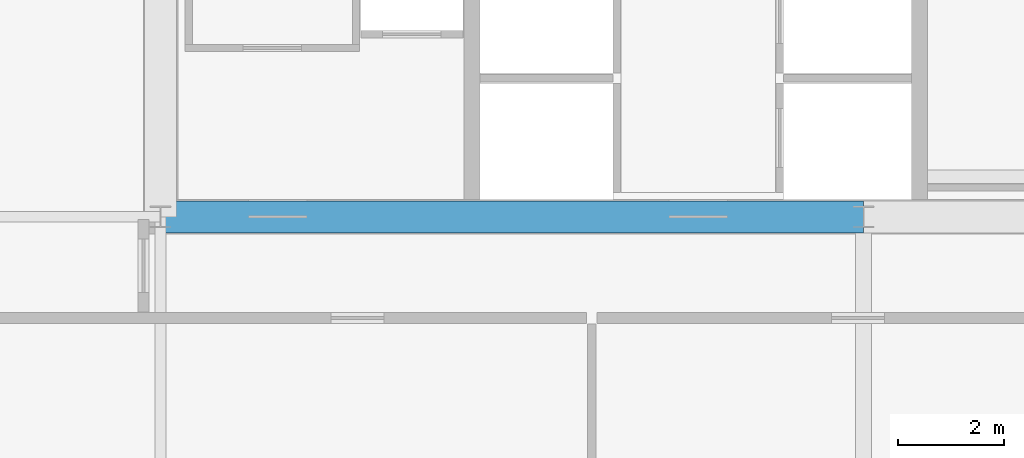
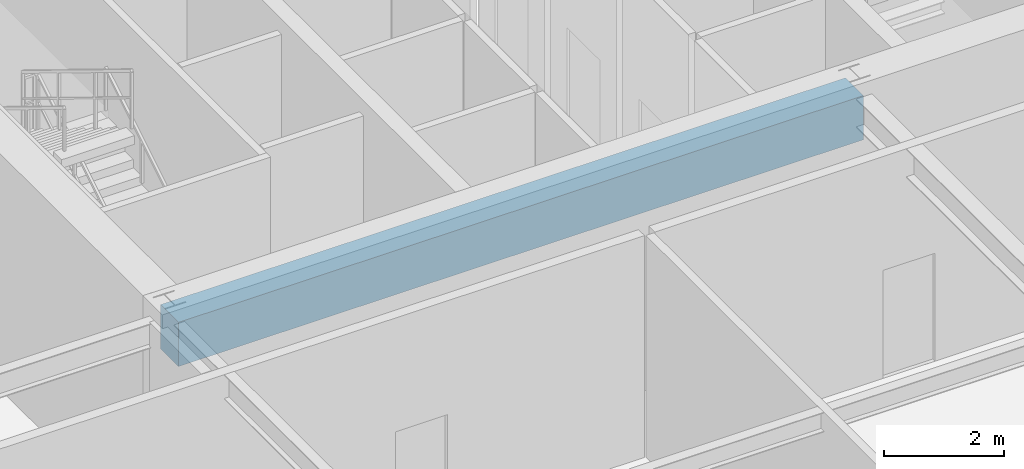
# One storey, part 13 of 34: 1 beam.
"""IFC4 building model written with IfcOpenShell, lengths in metres."""

from ifc_helpers import new_model, si_unit, direction, frame, origin, origin_2d, place, context, subcontext, project, spatial, rectangle, extrude, source, transform, mapped, material, material_profile, profile_set, type_object, element, save


model = new_model("IFC4")

# Units and contexts
model_context = context("Model", 3, precision=1e-05, world=origin(), true_north=direction((0.0, 1.0)))
body_context = subcontext(model_context, "Body", "Model", "MODEL_VIEW")
ifc_project = project(units=[si_unit("LENGTHUNIT", "METRE"), si_unit("AREAUNIT", "SQUARE_METRE"), si_unit("VOLUMEUNIT", "CUBIC_METRE"), si_unit("PLANEANGLEUNIT", "RADIAN"), si_unit("MASSUNIT", "GRAM", prefix="KILO"), si_unit("THERMODYNAMICTEMPERATUREUNIT", "KELVIN"), si_unit("POWERUNIT", "WATT")], contexts=[model_context])

# Site, building, storey
site_placement = place(None, origin())
site = spatial("IfcSite", under=ifc_project, at=site_placement, CompositionType="ELEMENT")
building_placement = place(site_placement, origin())
building = spatial("IfcBuilding", under=site, at=building_placement, Name="Yuzanri Waterfront Tower", CompositionType="ELEMENT")
storey_placement = place(building_placement, frame((0.0, 0.0, 171.60009765625)))
storey = spatial("IfcBuildingStorey", under=building, at=storey_placement, Name="L45", CompositionType="ELEMENT", Elevation=171.60009765625)

# Beam
ifc_material = material(Name="Concrete C60", Category="concrete")
ifc_material_profile = material_profile(ifc_material, rectangle(XDim=0.60009765625, YDim=0.89990234375, at=origin_2d()), Name="RC 600x900")
ifc_profile_set = profile_set([ifc_material_profile], Name="Concrete C60")
beam_type = type_object("IfcBeamType", Name="Core Coupling Lintel Concrete C60 600x900", PredefinedType="LINTEL", material=ifc_profile_set)
shared_shape = source(origin(), body_context, "Body", "SweptSolid", [
    extrude(rectangle(XDim=0.60009765625, YDim=0.89990234375, at=origin_2d()), origin(), (0.0, 0.0, 1.0), 13.199951171875),
])
beam_placement = place(storey_placement, frame((23.800048828125, 19.39990234375, 4.06982421875), z_axis=(1.0, 0.0, 0.0), x_axis=(0.0, 1.0, 0.0)))
element("IfcBeam", 1, at=beam_placement, inside=storey, type_object=beam_type, Name="L45 Core Tie Beam CS1", PredefinedType="LINTEL", context=body_context, shape_type="MappedRepresentation", body=[
    mapped(shared_shape, transform((0.0, 0.0, 0.0), scale=1.0)),
])

save(model, "model.ifc")
